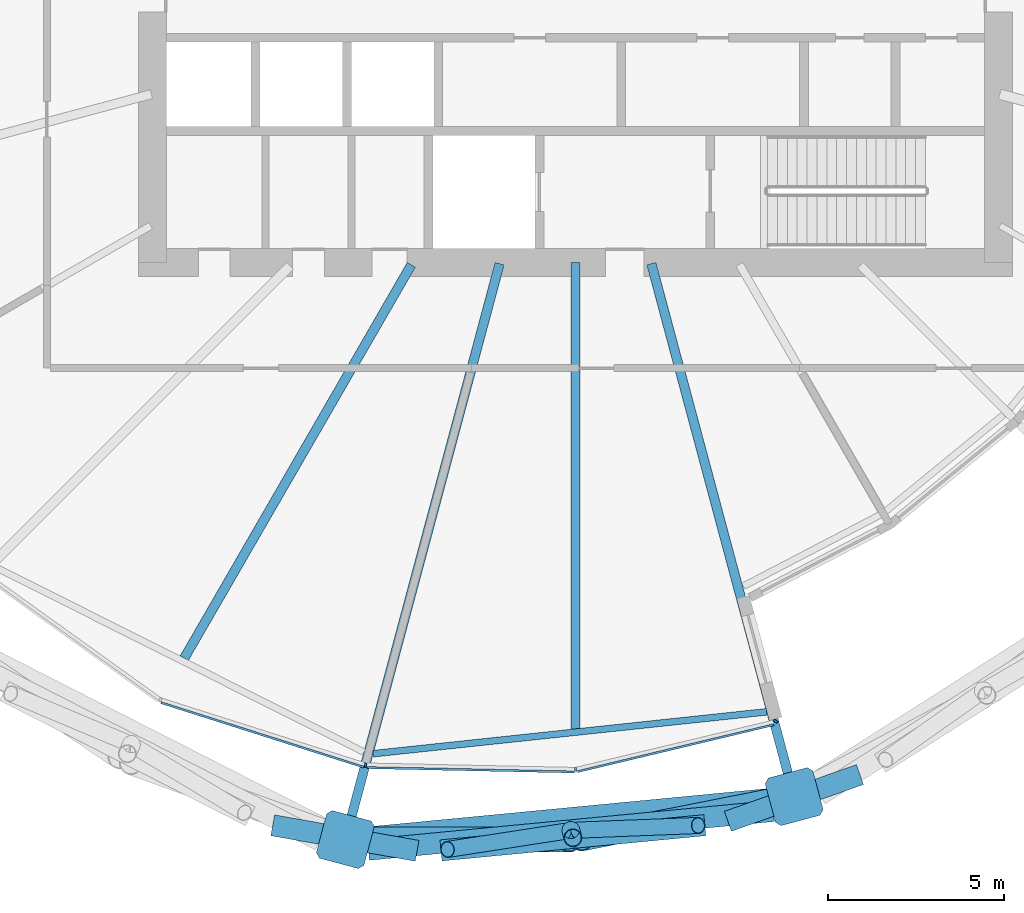
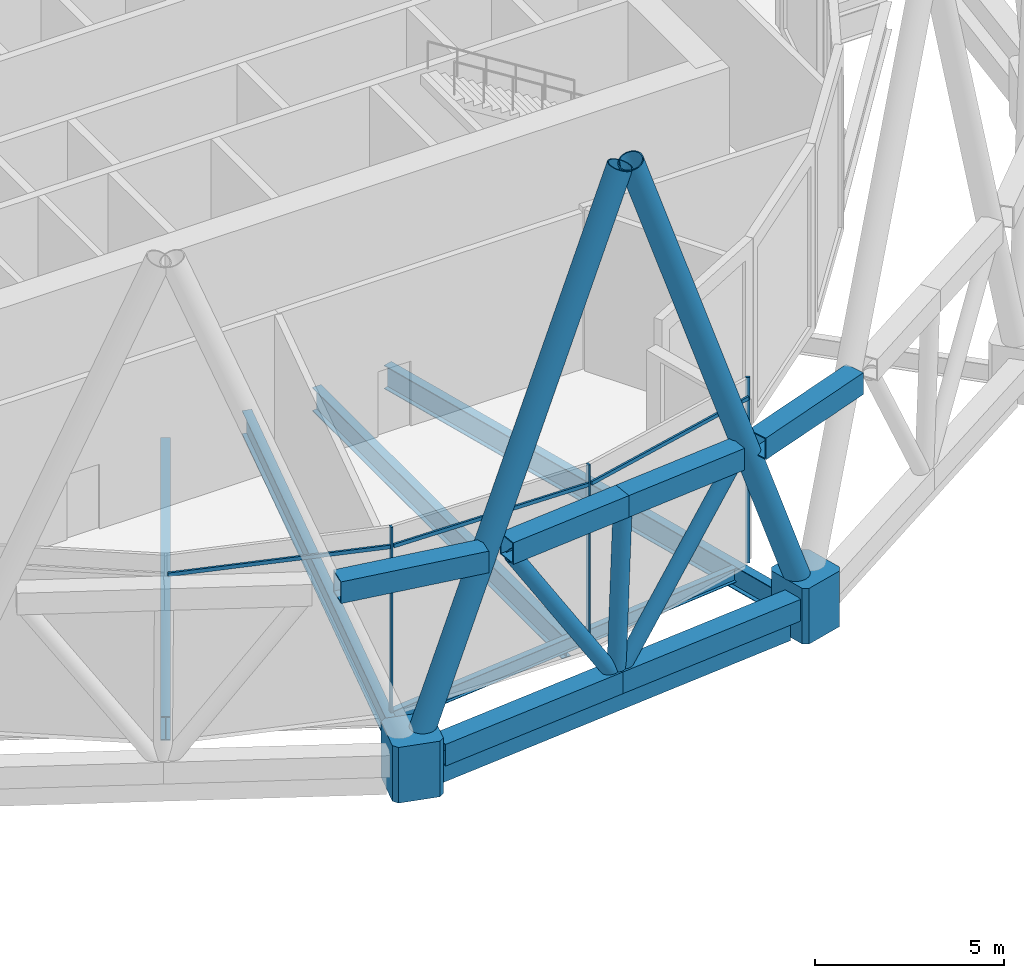
# One storey, part 17 of 33: 19 members, 6 beams, 1 element without a shape of its own.
"""IFC4 building model written with IfcOpenShell, lengths in metres."""

from ifc_helpers import new_model, si_unit, direction, frame, origin, origin_2d, place, context, subcontext, project, spatial, polyline, rectangle, hollow_rectangle, hollow_circle, i_section, outline, extrude, material, material_profile, profile_set, type_object, element, aggregate, save


model = new_model("IFC4")

# Units and contexts
model_context = context("Model", 3, precision=1e-05, world=origin(), true_north=direction((0.0, 1.0)))
body_context = subcontext(model_context, "Body", "Model", "MODEL_VIEW")
ifc_project = project(units=[si_unit("LENGTHUNIT", "METRE"), si_unit("AREAUNIT", "SQUARE_METRE"), si_unit("VOLUMEUNIT", "CUBIC_METRE"), si_unit("PLANEANGLEUNIT", "RADIAN"), si_unit("MASSUNIT", "GRAM", prefix="KILO")], contexts=[model_context])

# Site, building, storey
site_placement = place(None, origin())
site = spatial("IfcSite", under=ifc_project, at=site_placement, CompositionType="ELEMENT")
building_placement = place(site_placement, origin())
building = spatial("IfcBuilding", under=site, at=building_placement, Name="Rimbun Link Towers", CompositionType="ELEMENT")
storey_placement = place(building_placement, frame((0.0, 0.0, 75.60009765625)))
storey = spatial("IfcBuildingStorey", under=building, at=storey_placement, Name="L18", CompositionType="ELEMENT", Elevation=75.60009765625)

# Members
ifc_material_1 = material(Name="Steel S460N", Category="steel")
ifc_material_profile_1 = material_profile(ifc_material_1, hollow_rectangle(XDim=0.60009765625, YDim=0.699951171875, WallThickness=0.034912109375, at=origin_2d()), Name="Belt truss chord BOX 600x700x35")
ifc_profile_set_1 = profile_set([ifc_material_profile_1], Name="Steel S460N")
member_type_1 = type_object("IfcMemberType", Name="Belt truss chord BOX 600x700x35", PredefinedType="CHORD", material=ifc_profile_set_1)
member_1_placement = place(storey_placement, frame((23.158447265625, -23.971435546875, 6.0), z_axis=(0.984775880026, -0.173828841446, 0.0), x_axis=(0.173828841446, 0.984775880026, 0.0)))
element("IfcMember", 1, at=member_1_placement, inside=storey, type_object=member_type_1, Name="Belt truss chord T2 L18 top 07", PredefinedType="CHORD", context=body_context, shape_type="SweptSolid", body=[
    extrude(hollow_rectangle(XDim=0.60009765625, YDim=0.699951171875, WallThickness=0.034912109375, at=origin_2d()), origin(), (0.0, 0.0, 1.0), 4.16162109375),
])
member_2_placement = place(storey_placement, frame((36.073974609375, -23.858154296875, 6.0), z_axis=(0.942600637208, 0.333922204616, 0.0), x_axis=(-0.333922204616, 0.942600637208, 0.0)))
element("IfcMember", 2, at=member_2_placement, inside=storey, type_object=member_type_1, Name="Belt truss chord T2 L18 top 08", PredefinedType="CHORD", context=body_context, shape_type="SweptSolid", body=[
    extrude(hollow_rectangle(XDim=0.60009765625, YDim=0.699951171875, WallThickness=0.034912109375, at=origin_2d()), origin(), (0.0, 0.0, 1.0), 3.9736328125),
])
member_3_placement = place(storey_placement, frame((25.873779296875, -24.6650390625, 0.18994140625), z_axis=(0.995449928995, 0.095286089562, 0.0), x_axis=(-0.095286089562, 0.995449928995, 0.0)))
element("IfcMember", 3, at=member_3_placement, inside=storey, type_object=member_type_1, Name="Belt truss chord T2 L18 bottom 14", PredefinedType="CHORD", context=body_context, shape_type="SweptSolid", body=[
    extrude(hollow_rectangle(XDim=0.60009765625, YDim=0.699951171875, WallThickness=0.034912109375, at=origin_2d()), origin(), (0.0, 0.0, 1.0), 5.772705078125),
])
member_4_placement = place(storey_placement, frame((31.6201171875, -24.114990234375, 0.18994140625), z_axis=(0.995449544974, 0.095290101327, 0.0), x_axis=(-0.095290101327, 0.995449544974, 0.0)))
element("IfcMember", 4, at=member_4_placement, inside=storey, type_object=member_type_1, Name="Belt truss chord T2 L18 bottom 15", PredefinedType="CHORD", context=body_context, shape_type="SweptSolid", body=[
    extrude(hollow_rectangle(XDim=0.60009765625, YDim=0.699951171875, WallThickness=0.034912109375, at=origin_2d()), origin(), (0.0, 0.0, 1.0), 5.7724609375),
])
member_5_placement = place(storey_placement, frame((27.9326171875, -24.6845703125, 6.0), z_axis=(0.995448669497, 0.095299246565, 0.0), x_axis=(-0.095299246565, 0.995448669497, 0.0)))
element("IfcMember", 5, at=member_5_placement, inside=storey, type_object=member_type_1, Name="Belt truss chord T2 L18 top 26", PredefinedType="CHORD", context=body_context, shape_type="SweptSolid", body=[
    extrude(hollow_rectangle(XDim=0.60009765625, YDim=0.699951171875, WallThickness=0.034912109375, at=origin_2d()), origin(), (0.0, 0.0, 1.0), 3.7607421875),
])
member_6_placement = place(storey_placement, frame((31.67626953125, -24.326171875, 6.0), z_axis=(0.99544925902, 0.095293088506, 0.0), x_axis=(-0.095293088506, 0.99544925902, 0.0)))
element("IfcMember", 6, at=member_6_placement, inside=storey, type_object=member_type_1, Name="Belt truss chord T2 L18 top 27", PredefinedType="CHORD", context=body_context, shape_type="SweptSolid", body=[
    extrude(hollow_rectangle(XDim=0.60009765625, YDim=0.699951171875, WallThickness=0.034912109375, at=origin_2d()), origin(), (0.0, 0.0, 1.0), 3.760986328125),
])
ifc_material_2 = material(Name="Steel S355J2H", Category="steel")
ifc_material_profile_2 = material_profile(ifc_material_2, hollow_circle(Radius=0.228515625, WallThickness=0.01611328125, at=origin_2d()), Name="Belt truss diagonal CHS 457x16")
ifc_profile_set_2 = profile_set([ifc_material_profile_2], Name="Steel S355J2H")
member_type_2 = type_object("IfcMemberType", Name="Belt truss diagonal CHS 457x16", PredefinedType="BRACE", material=ifc_profile_set_2)
member_7_placement = place(storey_placement, frame((31.43310546875, -24.143798828125, 0.484375), z_axis=(-0.534046532514, -0.082509067906, 0.841419369175), x_axis=(0.152686365324, -0.98827469554, 0.0)))
element("IfcMember", 7, at=member_7_placement, inside=storey, type_object=member_type_2, Name="Belt truss diagonal T2 L18 14", PredefinedType="BRACE", context=body_context, shape_type="SweptSolid", body=[
    extrude(hollow_circle(Radius=0.228515625, WallThickness=0.01611328125, at=origin_2d()), origin(), (0.0, 0.0, 1.0), 6.204833984375),
])
member_8_placement = place(storey_placement, frame((31.8115234375, -24.107666015625, 0.482666015625), z_axis=(0.547245044209, 0.021231356031, 0.836703108104), x_axis=(-0.038767633698, 0.999248252727, 0.0)))
element("IfcMember", 8, at=member_8_placement, inside=storey, type_object=member_type_2, Name="Belt truss diagonal T2 L18 15", PredefinedType="BRACE", context=body_context, shape_type="SweptSolid", body=[
    extrude(hollow_circle(Radius=0.228515625, WallThickness=0.01611328125, at=origin_2d()), origin(), (0.0, 0.0, 1.0), 6.243896484375),
])
ifc_material_3 = material(Name="Steel S355J2H", Category="steel")
ifc_material_profile_3 = material_profile(ifc_material_3, hollow_circle(Radius=0.25390625, WallThickness=0.02001953125, at=origin_2d()), Name="Belt truss strut CHS 508x20")
ifc_profile_set_3 = profile_set([ifc_material_profile_3], Name="Steel S355J2H")
member_type_3 = type_object("IfcMemberType", Name="Belt truss strut CHS 508x20", PredefinedType="STRUT", material=ifc_profile_set_3)
member_9_placement = place(storey_placement, frame((31.6201171875, -24.114990234375, 0.539794921875), z_axis=(0.010978452925, -0.041288529481, 0.999086948621), x_axis=(0.966420124842, 0.256967200825, 0.0)))
element("IfcMember", 9, at=member_9_placement, inside=storey, type_object=member_type_3, Name="Belt truss strut T2 L18 07", PredefinedType="STRUT", context=body_context, shape_type="SweptSolid", body=[
    extrude(hollow_circle(Radius=0.25390625, WallThickness=0.02001953125, at=origin_2d()), origin(), (0.0, 0.0, 1.0), 5.11474609375),
])

# Curtain wall, members
ifc_material_4 = material(Name="Aluminium 6063-T6 louvre wall", Category="aluminium")
curtain_wall_type = type_object("IfcCurtainWallType", Name="CW6 plant floor louvre wall", PredefinedType="NOTDEFINED", material=ifc_material_4)
curtain_wall_placement = place(storey_placement, origin())
curtain_wall = element("IfcCurtainWall", 10, at=curtain_wall_placement, inside=storey, type_object=curtain_wall_type, Name="CW6 L18 T2", PredefinedType="NOTDEFINED")
ifc_material_5 = material(Name="Aluminium 6063-T6", Category="aluminium")
ifc_material_profile_4 = material_profile(ifc_material_5, rectangle(XDim=0.1201171875, YDim=0.06005859375, at=origin_2d()), Name="MULLION 60X120")
ifc_profile_set_4 = profile_set([ifc_material_profile_4], Name="Aluminium 6063-T6")
member_type_4 = type_object("IfcMemberType", Name="CW6 mullion 60X120", PredefinedType="MULLION", material=ifc_profile_set_4)
member_10_placement = place(storey_placement, frame((25.790771484375, -22.26220703125, 0.0), z_axis=(0.0, 0.0, 1.0), x_axis=(-0.163744728794, -0.986502743935, 0.0)))
member_10 = element("IfcMember", 11, at=member_10_placement, type_object=member_type_4, Name="CW6 mullion", PredefinedType="MULLION", context=body_context, shape_type="SweptSolid", body=[
    extrude(rectangle(XDim=0.1201171875, YDim=0.06005859375, at=origin_2d()), origin(), (0.0, 0.0, 1.0), 6.0),
])
member_11_placement = place(storey_placement, frame((31.75634765625, -22.387939453125, 0.0), z_axis=(0.0, 0.0, 1.0), x_axis=(0.106634567902, -0.994298279657, 0.0)))
member_11 = element("IfcMember", 12, at=member_11_placement, type_object=member_type_4, Name="CW6 mullion", PredefinedType="MULLION", context=body_context, shape_type="SweptSolid", body=[
    extrude(rectangle(XDim=0.1201171875, YDim=0.06005859375, at=origin_2d()), origin(), (0.0, 0.0, 1.0), 6.0),
])
member_12_placement = place(storey_placement, frame((37.424072265625, -21.014404296875, 0.0), z_axis=(0.0, 0.0, 1.0), x_axis=(0.859182156964, -0.51166983608, 0.0)))
member_12 = element("IfcMember", 13, at=member_12_placement, type_object=member_type_4, Name="CW6 mullion", PredefinedType="MULLION", context=body_context, shape_type="SweptSolid", body=[
    extrude(rectangle(XDim=0.1201171875, YDim=0.06005859375, at=origin_2d()), origin(), (0.0, 0.0, 1.0), 6.0),
])
ifc_material_6 = material(Name="Aluminium 6063-T6", Category="aluminium")
ifc_material_profile_5 = material_profile(ifc_material_6, rectangle(XDim=0.06005859375, YDim=0.1201171875, at=origin_2d()), Name="TRANSOM 60X120")
ifc_profile_set_5 = profile_set([ifc_material_profile_5], Name="Aluminium 6063-T6")
member_type_5 = type_object("IfcMemberType", Name="CW6 transom 60X120", PredefinedType="USERDEFINED", material=ifc_profile_set_5)
member_13_placement = place(storey_placement, frame((25.732666015625, -22.31787109375, 5.39990234375), z_axis=(-0.952965118842, 0.303079993188, 0.0), x_axis=(-0.303079993188, -0.952965118842, 0.0)))
member_13 = element("IfcMember", 14, at=member_13_placement, type_object=member_type_5, Name="CW6 transom", ObjectType="TRANSOM", PredefinedType="USERDEFINED", context=body_context, shape_type="SweptSolid", body=[
    extrude(rectangle(XDim=0.06005859375, YDim=0.1201171875, at=origin_2d()), origin(), (0.0, 0.0, 1.0), 6.0302734375),
])
member_14_placement = place(storey_placement, frame((31.71728515625, -22.45751953125, 5.39990234375), z_axis=(-0.999778338444, 0.021054072708, 0.0), x_axis=(-0.021054072708, -0.999778338444, 0.0)))
member_14 = element("IfcMember", 15, at=member_14_placement, type_object=member_type_5, Name="CW6 transom", ObjectType="TRANSOM", PredefinedType="USERDEFINED", context=body_context, shape_type="SweptSolid", body=[
    extrude(rectangle(XDim=0.06005859375, YDim=0.1201171875, at=origin_2d()), origin(), (0.0, 0.0, 1.0), 5.890625),
])
member_15_placement = place(storey_placement, frame((37.373779296875, -21.1171875, 5.39990234375), z_axis=(-0.972581409573, -0.232562683493, 0.0), x_axis=(0.232562683493, -0.972581409573, 0.0)))
member_15 = element("IfcMember", 16, at=member_15_placement, type_object=member_type_5, Name="CW6 transom", ObjectType="TRANSOM", PredefinedType="USERDEFINED", context=body_context, shape_type="SweptSolid", body=[
    extrude(rectangle(XDim=0.06005859375, YDim=0.1201171875, at=origin_2d()), origin(), (0.0, 0.0, 1.0), 5.721435546875),
])
aggregate(curtain_wall, [member_10, member_11, member_12, member_13, member_14, member_15])

# Members
ifc_material_7 = material(Name="Steel S460NH", Category="steel")
ifc_material_profile_6 = material_profile(ifc_material_7, hollow_circle(Radius=0.355712890625, WallThickness=0.031982421875, at=origin_2d()), Name="Diagrid diagonal CHS 711x32")
ifc_profile_set_6 = profile_set([ifc_material_profile_6], Name="Steel S460NH")
member_type_6 = type_object("IfcMemberType", Name="Diagrid diagonal CHS 711x32", PredefinedType="BRACE", material=ifc_profile_set_6)
member_16_placement = place(storey_placement, frame((25.39404296875, -24.37646484375, 0.468017578125), z_axis=(0.351433789127, -0.000138829813, 0.936212728276), x_axis=(0.000395038288, 0.999999921972, 0.0)))
element("IfcMember", 17, at=member_16_placement, inside=storey, type_object=member_type_6, Name="Diagrid diagonal T2 L18-L22 14b", PredefinedType="BRACE", context=body_context, shape_type="SweptSolid", body=[
    extrude(hollow_circle(Radius=0.355712890625, WallThickness=0.031982421875, at=origin_2d()), origin(), (0.0, 0.0, 1.0), 17.585693359375),
])
member_17_placement = place(storey_placement, frame((37.787353515625, -23.18994140625, 0.4697265625), z_axis=(-0.335158704482, -0.066005759087, 0.939846733557), x_axis=(0.193227312403, -0.98115401734, 0.0)))
element("IfcMember", 18, at=member_17_placement, inside=storey, type_object=member_type_6, Name="Diagrid diagonal T2 L18-L22 16a", PredefinedType="BRACE", context=body_context, shape_type="SweptSolid", body=[
    extrude(hollow_circle(Radius=0.355712890625, WallThickness=0.031982421875, at=origin_2d()), origin(), (0.0, 0.0, 1.0), 17.513671875),
])
ifc_material_8 = material(Name="Cast steel G20Mn5+QT, Rp0.2 300 MPa", Category="steel")
ifc_material_profile_7 = material_profile(ifc_material_8, outline(polyline([(0.699951171875, -0.570068359375), (0.699951171875, 0.570068359375), (0.570068359375, 0.699951171875), (-0.570068359375, 0.699951171875), (-0.699951171875, 0.570068359375), (-0.699951171875, -0.570068359375), (-0.570068359375, -0.699951171875), (0.570068359375, -0.699951171875), (0.699951171875, -0.570068359375)])), Name="NODE 1400x1400")
ifc_profile_set_7 = profile_set([ifc_material_profile_7], Name="Cast steel G20Mn5+QT, Rp0.2 300 MPa")
member_type_7 = type_object("IfcMemberType", Name="Diagrid node cast 1400", PredefinedType="USERDEFINED", material=ifc_profile_set_7)
for number, where, z_axis, x_axis, name in (
    (19, (25.218505859375, -24.376220703125, -0.900146484375), (0.0, 0.0, 1.0), (-0.258819045103, -0.965925826289, 0.0), "Diagrid node L18 14"),
    (20, (37.954833984375, -23.156982421875, -0.900146484375), (0.0, 0.0, 1.0), (0.258819045103, -0.965925826289, 0.0), "Diagrid node L18 16"),
):
    element("IfcMember", number, at=place(storey_placement, frame(where, z_axis=z_axis, x_axis=x_axis)), inside=storey, type_object=member_type_7, Name=name, ObjectType="Diagrid node", PredefinedType="USERDEFINED", context=body_context, shape_type="SweptSolid", body=[
        extrude(outline(polyline([(0.699951171875, -0.570068359375), (0.699951171875, 0.570068359375), (0.570068359375, 0.699951171875), (-0.570068359375, 0.699951171875), (-0.699951171875, 0.570068359375), (-0.699951171875, -0.570068359375), (-0.570068359375, -0.699951171875), (0.570068359375, -0.699951171875), (0.699951171875, -0.570068359375)])), origin(), (0.0, 0.0, 1.0), 1.800048828125),
    ])

# Beams
ifc_material_9 = material(Name="Steel S355J2", Category="steel")
ifc_material_profile_8 = material_profile(ifc_material_9, hollow_rectangle(XDim=0.60009765625, YDim=0.800048828125, WallThickness=0.0400390625, at=origin_2d()), Name="Exoskeleton ring girder BOX 600x800x40")
ifc_profile_set_8 = profile_set([ifc_material_profile_8], Name="Steel S355J2")
beam_type_1 = type_object("IfcBeamType", Name="Exoskeleton ring girder BOX 600x800x40", PredefinedType="BEAM", material=ifc_profile_set_8)
beam_1_placement = place(storey_placement, frame((25.915283203125, -24.3095703125, -0.56005859375), z_axis=(0.995448357725, 0.095302503124, 0.0), x_axis=(-0.095302503124, 0.995448357725, 0.0)))
element("IfcBeam", 21, at=beam_1_placement, inside=storey, type_object=beam_type_1, Name="Exoskeleton ring girder L18 07", PredefinedType="BEAM", context=body_context, shape_type="SweptSolid", body=[
    extrude(hollow_rectangle(XDim=0.60009765625, YDim=0.800048828125, WallThickness=0.0400390625, at=origin_2d()), origin(), (0.0, 0.0, 1.0), 11.39453125),
])
ifc_material_10 = material(Name="Steel S355J2", Category="steel")
ifc_material_profile_9 = material_profile(ifc_material_10, i_section(OverallWidth=0.18994140625, OverallDepth=0.453369140625, WebThickness=0.008544921875, FlangeThickness=0.0126953125, at=origin_2d()), Name="UB 457x191x67")
ifc_profile_set_9 = profile_set([ifc_material_profile_9], Name="Steel S355J2")
beam_type_2 = type_object("IfcBeamType", Name="UB 457x191x67", PredefinedType="BEAM", material=ifc_profile_set_9)
beam_2_placement = place(storey_placement, frame((26.010498046875, -21.939208984375, -0.4267578125), z_axis=(0.994385017817, 0.105822664589, 0.0), x_axis=(-0.105822664589, 0.994385017817, 0.0)))
element("IfcBeam", 22, at=beam_2_placement, inside=storey, type_object=beam_type_2, Name="Edge beam T2 L18 14-16", PredefinedType="BEAM", context=body_context, shape_type="SweptSolid", body=[
    extrude(i_section(OverallWidth=0.18994140625, OverallDepth=0.453369140625, WebThickness=0.008544921875, FlangeThickness=0.0126953125, at=origin_2d()), origin(), (0.0, 0.0, 1.0), 11.223876953125),
])
ifc_material_11 = material(Name="Steel S355J2", Category="steel")
ifc_material_profile_10 = material_profile(ifc_material_11, i_section(OverallWidth=0.2666015625, OverallDepth=0.76220703125, WebThickness=0.014404296875, FlangeThickness=0.021484375, at=origin_2d()), Name="UB 762x267x173")
ifc_profile_set_10 = profile_set([ifc_material_profile_10], Name="Steel S355J2")
beam_type_3 = type_object("IfcBeamType", Name="UB 762x267x173", PredefinedType="BEAM", material=ifc_profile_set_10)
beam_3_placement = place(storey_placement, frame((27.09228515625, -8.0673828125, -0.581298828125), z_axis=(-0.499994133855, -0.866028790578, 0.0), x_axis=(0.866028790578, -0.499994133855, 0.0)))
element("IfcBeam", 23, at=beam_3_placement, inside=storey, type_object=beam_type_3, Name="Radial beam T2 L18 13", PredefinedType="BEAM", context=body_context, shape_type="SweptSolid", body=[
    extrude(i_section(OverallWidth=0.2666015625, OverallDepth=0.76220703125, WebThickness=0.014404296875, FlangeThickness=0.021484375, at=origin_2d()), origin(), (0.0, 0.0, 1.0), 12.886962890625),
])
beam_4_placement = place(storey_placement, frame((29.596923828125, -8.035400390625, -0.581298828125), z_axis=(-0.258813885829, -0.965927208697, 0.0), x_axis=(0.965927208697, -0.258813885829, 0.0)))
element("IfcBeam", 24, at=beam_4_placement, inside=storey, type_object=beam_type_3, Name="Radial beam T2 L18 14", PredefinedType="BEAM", context=body_context, shape_type="SweptSolid", body=[
    extrude(i_section(OverallWidth=0.2666015625, OverallDepth=0.76220703125, WebThickness=0.014404296875, FlangeThickness=0.021484375, at=origin_2d()), origin(), (0.0, 0.0, 1.0), 16.417236328125),
])
beam_5_placement = place(storey_placement, frame((31.75, -8.0009765625, -0.581298828125), z_axis=(0.0, -1.0, 0.0), x_axis=(1.0, 0.0, 0.0)))
element("IfcBeam", 25, at=beam_5_placement, inside=storey, type_object=beam_type_3, Name="Radial beam T2 L18 15", PredefinedType="BEAM", context=body_context, shape_type="SweptSolid", body=[
    extrude(i_section(OverallWidth=0.2666015625, OverallDepth=0.76220703125, WebThickness=0.014404296875, FlangeThickness=0.021484375, at=origin_2d()), origin(), (0.0, 0.0, 1.0), 13.23095703125),
])
beam_6_placement = place(storey_placement, frame((33.903076171875, -8.035400390625, -0.581298828125), z_axis=(0.258815534331, -0.965926766991, 0.0), x_axis=(0.965926766991, 0.258815534331, 0.0)))
element("IfcBeam", 26, at=beam_6_placement, inside=storey, type_object=beam_type_3, Name="Radial beam T2 L18 16", PredefinedType="BEAM", context=body_context, shape_type="SweptSolid", body=[
    extrude(i_section(OverallWidth=0.2666015625, OverallDepth=0.76220703125, WebThickness=0.014404296875, FlangeThickness=0.021484375, at=origin_2d()), origin(), (0.0, 0.0, 1.0), 15.155029296875),
])

save(model, "model.ifc")
